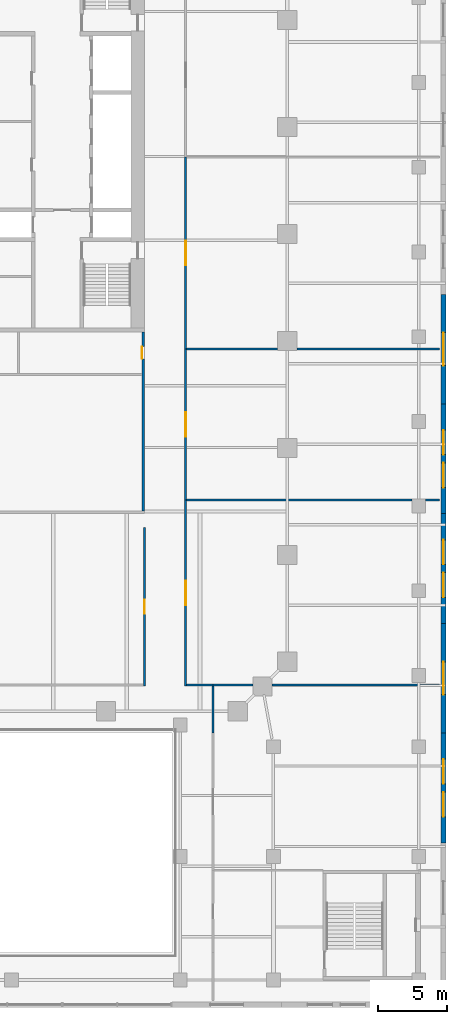
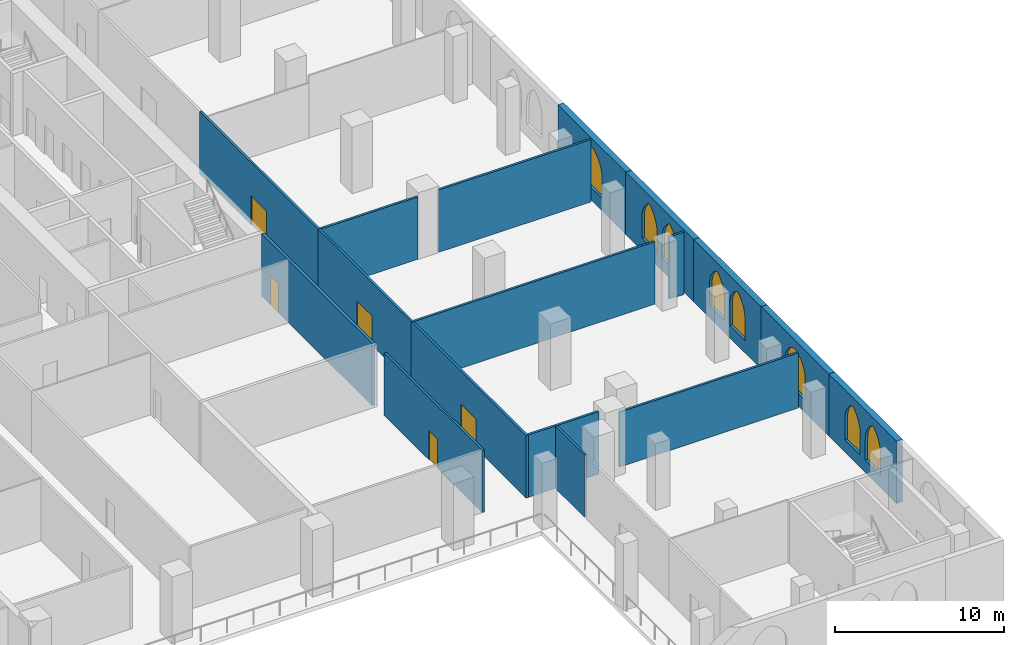
# One storey, part 13 of 19: 18 walls, 8 windows, 5 doors, 13 openings.
"""IFC4 building model written with IfcOpenShell, lengths in metres."""

import ifcopenshell
import ifcopenshell.guid

model = None  # the IFC model being written
_history = None  # IfcOwnerHistory: only IFC2X3 demands one
_inside = {}  # id of a spatial element -> (the spatial element, [elements in it])
_under = {}  # id of a project, library or spatial element -> (it, [spatial elements below it])
_declared = {}  # id of a project -> (the project, [libraries it declares])
_typed = {}  # id of a type object -> (the type object, [elements of that type])
_made_of = {}  # id of a material, layer set ... -> (it, [elements and type objects made of it])


def new_model(schema):
    """Start an empty IFC model of exactly this schema.

    Asked for "IFC4X3", IfcOpenShell would pick the latest addendum, in which some entities
    have other attributes; the version numbers below select the first issue.
    IFC2X3 requires an IfcOwnerHistory on every rooted entity: one is made here for all.
    """
    global model, _history
    if schema == "IFC4X3":
        model = ifcopenshell.file(schema_version=(4, 3, 0, 0))
    else:
        model = ifcopenshell.file(schema=schema)
    _inside.clear()
    _under.clear()
    _declared.clear()
    _typed.clear()
    _made_of.clear()
    _history = None
    if model.schema == "IFC2X3":
        org = make("IfcOrganization", Name="unknown")
        user = make(
            "IfcPersonAndOrganization",
            ThePerson=make("IfcPerson", FamilyName="unknown"),
            TheOrganization=org,
        )
        app = make(
            "IfcApplication",
            ApplicationDeveloper=org,
            Version="unknown",
            ApplicationFullName="unknown",
            ApplicationIdentifier="unknown",
        )
        _history = make(
            "IfcOwnerHistory",
            OwningUser=user,
            OwningApplication=app,
            ChangeAction="ADDED",
            CreationDate=0,
        )
    return model


def make(cls, **values):
    """One entity of the class cls with the attributes given. An attribute that is None is left unset."""
    return model.create_entity(
        cls, **{name: value for name, value in values.items() if value is not None}
    )


def rooted(cls, **values):
    """An entity with a GlobalId (a new one), such as an element, a storey or a relation."""
    return make(cls, GlobalId=ifcopenshell.guid.new(), OwnerHistory=_history, **values)


def si_unit(unit_type, name, prefix=None):
    """IfcSIUnit, for example si_unit("LENGTHUNIT", "METRE", prefix="MILLI")."""
    return make("IfcSIUnit", UnitType=unit_type, Prefix=prefix, Name=name)


def assignment(units):
    """IfcUnitAssignment: the units of a project."""
    return None if units is None else make("IfcUnitAssignment", Units=units)


def point(xyz):
    """IfcCartesianPoint."""
    return None if xyz is None else make("IfcCartesianPoint", Coordinates=xyz)


def direction(xyz):
    """IfcDirection."""
    return None if xyz is None else make("IfcDirection", DirectionRatios=xyz)


def frame(location, z_axis=None, x_axis=None):
    """IfcAxis2Placement3D, a coordinate frame: its origin and axes. An axis left out is left unset."""
    return make(
        "IfcAxis2Placement3D",
        Location=point(location),
        Axis=direction(z_axis),
        RefDirection=direction(x_axis),
    )


def frame_2d(location, x_axis=None):
    """IfcAxis2Placement2D, a coordinate frame in the plane: its origin and x axis."""
    return make(
        "IfcAxis2Placement2D", Location=point(location), RefDirection=direction(x_axis)
    )


def origin():
    """The frame at (0, 0, 0) with its axes left unset."""
    return frame((0.0, 0.0, 0.0))


def place(relative_to, where):
    """IfcLocalPlacement: puts the frame where relative to a parent placement (None: the world)."""
    return make(
        "IfcLocalPlacement", PlacementRelTo=relative_to, RelativePlacement=where
    )


def context(
    kind, dimensions, precision=None, world=None, true_north=None, identifier=None
):
    """IfcGeometricRepresentationContext, for example the 3D "Model" context."""
    return make(
        "IfcGeometricRepresentationContext",
        ContextIdentifier=identifier,
        ContextType=kind,
        CoordinateSpaceDimension=dimensions,
        Precision=precision,
        WorldCoordinateSystem=world,
        TrueNorth=true_north,
    )


def subcontext(parent, identifier, kind, view, scale=None):
    """IfcGeometricRepresentationSubContext, for example "Body" below "Model"."""
    return make(
        "IfcGeometricRepresentationSubContext",
        ContextIdentifier=identifier,
        ContextType=kind,
        ParentContext=parent,
        TargetScale=scale,
        TargetView=view,
    )


def project(units=None, contexts=None):
    """IfcProject with its units and contexts."""
    return rooted(
        "IfcProject",
        Name="project",
        RepresentationContexts=contexts,
        UnitsInContext=assignment(units),
    )


def spatial(cls, under=None, at=None, **own):
    """A site, building, storey or space (cls), placed at a placement, below another one or the project."""
    s = rooted(cls, ObjectPlacement=at, **own)
    if under is not None:
        _under.setdefault(under.id(), (under, []))[1].append(s)
    return s


def polyline(points):
    """IfcPolyline through the points."""
    return make("IfcPolyline", Points=[point(p) for p in points])


def profile(cls, at=None, kind="AREA", **sizes):
    """A parametric profile (cls). Its sizes go by their IFC names, for example OverallWidth=200.0."""
    return make(cls, ProfileType=kind, Position=at, **sizes)


def rectangle(**sizes):
    """IfcRectangleProfileDef."""
    return profile("IfcRectangleProfileDef", **sizes)


def outline(outer, holes=None, kind="AREA"):
    """IfcArbitraryClosedProfileDef: a profile drawn as a closed curve; with holes, ...WithVoids."""
    if holes is None:
        return make("IfcArbitraryClosedProfileDef", ProfileType=kind, OuterCurve=outer)
    return make(
        "IfcArbitraryProfileDefWithVoids",
        ProfileType=kind,
        OuterCurve=outer,
        InnerCurves=holes,
    )


def extrude(swept, where, along, depth):
    """IfcExtrudedAreaSolid: the profile swept, set in the frame where, extruded along a direction by depth."""
    return make(
        "IfcExtrudedAreaSolid",
        SweptArea=swept,
        Position=where,
        ExtrudedDirection=direction(along),
        Depth=depth,
    )


def shape(context_of_items, identifier, shape_type, items):
    """IfcShapeRepresentation: the items that make up one representation, for example the "Body"."""
    return make(
        "IfcShapeRepresentation",
        ContextOfItems=context_of_items,
        RepresentationIdentifier=identifier,
        RepresentationType=shape_type,
        Items=items,
    )


def material(Name=None, Category=None):
    """IfcMaterial."""
    return make("IfcMaterial", Name=Name, Category=Category)


def layer(
    of_material, thickness, ventilated=None, Name=None, Category=None, Priority=None
):
    """IfcMaterialLayer: one layer of a wall or slab, of a material (None: an air gap)."""
    return make(
        "IfcMaterialLayer",
        Material=of_material,
        LayerThickness=thickness,
        IsVentilated=ventilated,
        Name=Name,
        Category=Category,
        Priority=Priority,
    )


def layer_set(layers, Name=None):
    """IfcMaterialLayerSet."""
    return make("IfcMaterialLayerSet", MaterialLayers=layers, LayerSetName=Name)


def made_of(thing, what):
    """Note that an element or type object is made of a material, layer set ...; save() writes the relation."""
    if what is not None:
        _made_of.setdefault(what.id(), (what, []))[1].append(thing)
    return thing


def type_object(cls, material=None, **own):
    """A type object (cls), such as IfcWallType, which elements share."""
    return made_of(rooted(cls, **own), material)


def element(
    cls,
    number,
    at=None,
    inside=None,
    cuts=None,
    type_object=None,
    material=None,
    context=None,
    identifier="Body",
    shape_type=None,
    held_by="IfcProductDefinitionShape",
    body=None,
    shapes=None,
    **own,
):
    """One element of the class cls, such as IfcWall. Its Tag is "e" and its number.

    at: its placement. inside: the storey or other place that contains it. cuts: it is an
    opening in that element (IfcRelVoidsElement). A single representation is given by context,
    identifier, shape_type and body (its items); several are given by shapes. held_by: the class
    of the entity that holds the representations. save() writes the other relations.
    """
    e = rooted(cls, Tag="e%d" % number, ObjectPlacement=at, **own)
    if body is not None:
        shapes = [shape(context, identifier, shape_type, body)]
    if shapes is not None:
        e.Representation = make(held_by, Representations=shapes)
    if inside is not None:
        _inside.setdefault(inside.id(), (inside, []))[1].append(e)
    if cuts is not None:
        rooted(
            "IfcRelVoidsElement", RelatingBuildingElement=cuts, RelatedOpeningElement=e
        )
    if type_object is not None:
        _typed.setdefault(type_object.id(), (type_object, []))[1].append(e)
    return made_of(e, material)


def fill(opening, filler):
    """IfcRelFillsElement: the door or window that sits in an opening."""
    return rooted(
        "IfcRelFillsElement",
        RelatingOpeningElement=opening,
        RelatedBuildingElement=filler,
    )


def aggregate(whole, parts):
    """IfcRelAggregates: a whole, such as a stair, and the parts it consists of."""
    return rooted("IfcRelAggregates", RelatingObject=whole, RelatedObjects=parts)


def save(model, path):
    """Write the relations noted so far, then the file.

    IfcRelAggregates (storeys below a building ...), IfcRelContainedInSpatialStructure (elements
    in a storey), IfcRelDefinesByType, IfcRelAssociatesMaterial and IfcRelDeclares: one each for
    every whole, place, type object, material and project.
    """
    for whole, parts in _under.values():
        aggregate(whole, parts)
    for where, things in _inside.values():
        rooted(
            "IfcRelContainedInSpatialStructure",
            RelatedElements=things,
            RelatingStructure=where,
        )
    for kind, things in _typed.values():
        rooted("IfcRelDefinesByType", RelatedObjects=things, RelatingType=kind)
    for what, things in _made_of.values():
        rooted("IfcRelAssociatesMaterial", RelatedObjects=things, RelatingMaterial=what)
    for by, libraries in _declared.values():
        rooted("IfcRelDeclares", RelatingContext=by, RelatedDefinitions=libraries)
    model.write(path)


model = new_model("IFC4")

# Units and contexts
model_context = context("Model", 3, precision=1e-05, world=origin(), true_north=direction((0.0, 1.0)))
body_context = subcontext(model_context, "Body", "Model", "MODEL_VIEW")
ifc_project = project(units=[si_unit("LENGTHUNIT", "METRE"), si_unit("AREAUNIT", "SQUARE_METRE"), si_unit("VOLUMEUNIT", "CUBIC_METRE"), si_unit("PLANEANGLEUNIT", "RADIAN"), si_unit("MASSUNIT", "GRAM", prefix="KILO")], contexts=[model_context])

# Site, building, storey
site_placement = place(None, origin())
site = spatial("IfcSite", under=ifc_project, at=site_placement, CompositionType="ELEMENT")
building_placement = place(site_placement, origin())
building = spatial("IfcBuilding", under=site, at=building_placement, Name="Ogive Exchange Tower", CompositionType="ELEMENT")
storey_placement = place(building_placement, frame((0.0, 0.0, 19.199951171875)))
storey = spatial("IfcBuildingStorey", under=building, at=storey_placement, Name="L03", CompositionType="ELEMENT", Elevation=19.199951171875)

# Walls
ifc_material_1 = material(Name="Fire partition EI 60 150")
ifc_layer_1 = layer(ifc_material_1, 0.14990234375)
ifc_layer_set_1 = layer_set([ifc_layer_1], Name="Fire partition EI 60 150")
wall_type_1 = type_object("IfcWallType", Name="Fire partition EI 60 150", PredefinedType="PARTITIONING", material=ifc_layer_set_1)
wall_1_placement = place(storey_placement, frame((25.074951171875, -28.5, 0.0), z_axis=(0.0, 0.0, 1.0), x_axis=(1.0, 0.0, 0.0)))
element("IfcWall", 1, at=wall_1_placement, inside=storey, type_object=wall_type_1, Name="L03-PWL-012", PredefinedType="PARTITIONING", context=body_context, shape_type="SweptSolid", body=[
    extrude(rectangle(XDim=1.925048828125, YDim=0.14990234375, at=frame_2d((0.96240234375, 0.0))), origin(), (0.0, 0.0, 1.0), 4.5),
])
wall_2_placement = place(storey_placement, frame((27.0, -28.5, 0.0), z_axis=(0.0, 0.0, 1.0), x_axis=(1.0, 0.0, 0.0)))
element("IfcWall", 2, at=wall_2_placement, inside=storey, type_object=wall_type_1, Name="L03-PWL-013", PredefinedType="PARTITIONING", context=body_context, shape_type="SweptSolid", body=[
    extrude(rectangle(XDim=2.89990234375, YDim=0.14990234375, at=frame_2d((1.449951171875, 0.0))), origin(), (0.0, 0.0, 1.0), 4.5),
])
wall_3_placement = place(storey_placement, frame((31.300048828125, -28.5, 0.0), z_axis=(0.0, 0.0, 1.0), x_axis=(1.0, 0.0, 0.0)))
element("IfcWall", 3, at=wall_3_placement, inside=storey, type_object=wall_type_1, Name="L03-PWL-014", PredefinedType="PARTITIONING", context=body_context, shape_type="SweptSolid", body=[
    extrude(rectangle(XDim=12.199951171875, YDim=0.14990234375, at=frame_2d((6.10009765625, 0.0))), origin(), (0.0, 0.0, 1.0), 3.964111328125),
])
wall_4_placement = place(storey_placement, frame((25.074951171875, -15.0, 0.0), z_axis=(0.0, 0.0, 1.0), x_axis=(1.0, 0.0, 0.0)))
element("IfcWall", 4, at=wall_4_placement, inside=storey, type_object=wall_type_1, Name="L03-PWL-017", PredefinedType="PARTITIONING", context=body_context, shape_type="SweptSolid", body=[
    extrude(rectangle(XDim=16.425048828125, YDim=0.14990234375, at=frame_2d((8.21240234375, 0.0))), origin(), (0.0, 0.0, 1.0), 4.5),
])
wall_5_placement = place(storey_placement, frame((42.5, -15.0, 0.0), z_axis=(0.0, 0.0, 1.0), x_axis=(1.0, 0.0, 0.0)))
element("IfcWall", 5, at=wall_5_placement, inside=storey, type_object=wall_type_1, Name="L03-PWL-018", PredefinedType="PARTITIONING", context=body_context, shape_type="SweptSolid", body=[
    extrude(rectangle(XDim=1.0, YDim=0.14990234375, at=frame_2d((0.5, 0.0))), origin(), (0.0, 0.0, 1.0), 4.5),
])
wall_6_placement = place(storey_placement, frame((25.074951171875, -4.0, 0.0), z_axis=(0.0, 0.0, 1.0), x_axis=(1.0, 0.0, 0.0)))
element("IfcWall", 6, at=wall_6_placement, inside=storey, type_object=wall_type_1, Name="L03-PWL-023", PredefinedType="PARTITIONING", context=body_context, shape_type="SweptSolid", body=[
    extrude(rectangle(XDim=6.625, YDim=0.14990234375, at=frame_2d((3.3125, 0.0))), origin(), (0.0, 0.0, 1.0), 4.5),
])
wall_7_placement = place(storey_placement, frame((33.10009765625, -4.0, 0.0), z_axis=(0.0, 0.0, 1.0), x_axis=(1.0, 0.0, 0.0)))
element("IfcWall", 7, at=wall_7_placement, inside=storey, type_object=wall_type_1, Name="L03-PWL-024", PredefinedType="PARTITIONING", context=body_context, shape_type="SweptSolid", body=[
    extrude(rectangle(XDim=10.39990234375, YDim=0.14990234375, at=frame_2d((5.199951171875, 0.0))), origin(), (0.0, 0.0, 1.0), 4.5),
])

# Wall, opening, door
wall_8_placement = place(storey_placement, frame((22.0, -28.574951171875, 0.0), z_axis=(0.0, 0.0, 1.0), x_axis=(0.0, 1.0, 0.0)))
wall_8 = element("IfcWall", 8, at=wall_8_placement, inside=storey, type_object=wall_type_1, Name="L03-PWL-057", PredefinedType="PARTITIONING", context=body_context, shape_type="SweptSolid", body=[
    extrude(rectangle(XDim=11.574951171875, YDim=0.14990234375, at=frame_2d((5.78759765625, 0.0))), origin(), (0.0, 0.0, 1.0), 4.5),
])
opening_1_placement = place(wall_8_placement, frame((5.28759765625, 0.0, 0.0)))
opening_1 = element("IfcOpeningElement", 9, at=opening_1_placement, cuts=wall_8, Name="Opening L03-I19", PredefinedType="OPENING", context=body_context, shape_type="SweptSolid", body=[
    extrude(rectangle(XDim=1.0, YDim=2.10009765625, at=frame_2d((0.5, 1.050048828125))), frame((0.0, 0.0849609375, 0.0), z_axis=(0.0, -1.0, 0.0), x_axis=(1.0, 0.0, 0.0)), (0.0, 0.0, 1.0), 0.169921875),
])
ifc_material_2 = material(Name="Fire door FD 30S 1000 x 2100")
door_type_1 = type_object("IfcDoorType", Name="Fire door FD 30S 1000 x 2100", OperationType="NOTDEFINED", PredefinedType="DOOR", material=ifc_material_2)
door_1_placement = place(opening_1_placement, origin())
door_1 = element("IfcDoor", 10, at=door_1_placement, inside=storey, type_object=door_type_1, Name="L03-IDR-019", ObjectType="DT3", OperationType="SINGLE_SWING_RIGHT", OverallHeight=2.10009765625, OverallWidth=1.0, PredefinedType="DOOR", context=body_context, shape_type="SweptSolid", body=[
    extrude(rectangle(XDim=1.0, YDim=2.10009765625, at=frame_2d((0.5, 1.050048828125))), frame((0.0, 0.02490234375, 0.0), z_axis=(0.0, -1.0, 0.0), x_axis=(1.0, 0.0, 0.0)), (0.0, 0.0, 1.0), 0.050048828125),
])
fill(opening_1, door_1)

wall_9_placement = place(storey_placement, frame((25.0, -28.574951171875, 0.0), z_axis=(0.0, 0.0, 1.0), x_axis=(0.0, 1.0, 0.0)))
wall_9 = element("IfcWall", 11, at=wall_9_placement, inside=storey, type_object=wall_type_1, Name="L03-PWL-058", PredefinedType="PARTITIONING", context=body_context, shape_type="SweptSolid", body=[
    extrude(rectangle(XDim=13.574951171875, YDim=0.14990234375, at=frame_2d((6.78759765625, 0.0))), origin(), (0.0, 0.0, 1.0), 4.5),
])
opening_2_placement = place(wall_9_placement, frame((5.887451171875, 0.0, 0.0)))
opening_2 = element("IfcOpeningElement", 12, at=opening_2_placement, cuts=wall_9, Name="Opening L03-I09", PredefinedType="OPENING", context=body_context, shape_type="SweptSolid", body=[
    extrude(rectangle(XDim=1.800048828125, YDim=2.10009765625, at=frame_2d((0.89990234375, 1.050048828125))), frame((0.0, 0.0849609375, 0.0), z_axis=(0.0, -1.0, 0.0), x_axis=(1.0, 0.0, 0.0)), (0.0, 0.0, 1.0), 0.169921875),
])
ifc_material_3 = material(Name="Fire door FD 30S 1800 x 2100")
door_type_2 = type_object("IfcDoorType", Name="Fire door FD 30S 1800 x 2100", OperationType="DOUBLE_DOOR_SINGLE_SWING", PredefinedType="DOOR", material=ifc_material_3)
door_2_placement = place(opening_2_placement, frame((1.800048828125, 0.0, 0.0), z_axis=(0.0, 0.0, 1.0), x_axis=(-1.0, 0.0, 0.0)))
door_2 = element("IfcDoor", 13, at=door_2_placement, inside=storey, type_object=door_type_2, Name="L03-IDR-009", ObjectType="DT4", OperationType="SINGLE_SWING_RIGHT", OverallHeight=2.10009765625, OverallWidth=1.800048828125, PredefinedType="DOOR", context=body_context, shape_type="SweptSolid", body=[
    extrude(rectangle(XDim=1.800048828125, YDim=2.10009765625, at=frame_2d((0.89990234375, 1.050048828125))), frame((0.0, 0.02490234375, 0.0), z_axis=(0.0, -1.0, 0.0), x_axis=(1.0, 0.0, 0.0)), (0.0, 0.0, 1.0), 0.050048828125),
])
fill(opening_2, door_2)

wall_10_placement = place(storey_placement, frame((25.0, -15.0, 0.0), z_axis=(0.0, 0.0, 1.0), x_axis=(0.0, 1.0, 0.0)))
wall_10 = element("IfcWall", 14, at=wall_10_placement, inside=storey, type_object=wall_type_1, Name="L03-PWL-059", PredefinedType="PARTITIONING", context=body_context, shape_type="SweptSolid", body=[
    extrude(rectangle(XDim=11.0, YDim=0.14990234375, at=frame_2d((5.5, 0.0))), origin(), (0.0, 0.0, 1.0), 4.5),
])
opening_3_placement = place(wall_10_placement, frame((4.60009765625, 0.0, 0.0)))
opening_3 = element("IfcOpeningElement", 15, at=opening_3_placement, cuts=wall_10, Name="Opening L03-I10", PredefinedType="OPENING", context=body_context, shape_type="SweptSolid", body=[
    extrude(rectangle(XDim=1.800048828125, YDim=2.10009765625, at=frame_2d((0.89990234375, 1.050048828125))), frame((0.0, 0.0849609375, 0.0), z_axis=(0.0, -1.0, 0.0), x_axis=(1.0, 0.0, 0.0)), (0.0, 0.0, 1.0), 0.169921875),
])
door_3_placement = place(opening_3_placement, frame((1.800048828125, 0.0, 0.0), z_axis=(0.0, 0.0, 1.0), x_axis=(-1.0, 0.0, 0.0)))
door_3 = element("IfcDoor", 16, at=door_3_placement, inside=storey, type_object=door_type_2, Name="L03-IDR-010", ObjectType="DT4", OperationType="SINGLE_SWING_LEFT", OverallHeight=2.10009765625, OverallWidth=1.800048828125, PredefinedType="DOOR", context=body_context, shape_type="SweptSolid", body=[
    extrude(rectangle(XDim=1.800048828125, YDim=2.10009765625, at=frame_2d((0.89990234375, 1.050048828125))), frame((0.0, 0.02490234375, 0.0), z_axis=(0.0, -1.0, 0.0), x_axis=(1.0, 0.0, 0.0)), (0.0, 0.0, 1.0), 0.050048828125),
])
fill(opening_3, door_3)

wall_11_placement = place(storey_placement, frame((25.0, -4.0, 0.0), z_axis=(0.0, 0.0, 1.0), x_axis=(0.0, 1.0, 0.0)))
wall_11 = element("IfcWall", 17, at=wall_11_placement, inside=storey, type_object=wall_type_1, Name="L03-PWL-060", PredefinedType="PARTITIONING", context=body_context, shape_type="SweptSolid", body=[
    extrude(rectangle(XDim=14.0, YDim=0.14990234375, at=frame_2d((7.0, 0.0))), origin(), (0.0, 0.0, 1.0), 4.5),
])
opening_4_placement = place(wall_11_placement, frame((6.10009765625, 0.0, 0.0)))
opening_4 = element("IfcOpeningElement", 18, at=opening_4_placement, cuts=wall_11, Name="Opening L03-I11", PredefinedType="OPENING", context=body_context, shape_type="SweptSolid", body=[
    extrude(rectangle(XDim=1.800048828125, YDim=2.10009765625, at=frame_2d((0.89990234375, 1.050048828125))), frame((0.0, 0.0849609375, 0.0), z_axis=(0.0, -1.0, 0.0), x_axis=(1.0, 0.0, 0.0)), (0.0, 0.0, 1.0), 0.169921875),
])
door_4_placement = place(opening_4_placement, frame((1.800048828125, 0.0, 0.0), z_axis=(0.0, 0.0, 1.0), x_axis=(-1.0, 0.0, 0.0)))
door_4 = element("IfcDoor", 19, at=door_4_placement, inside=storey, type_object=door_type_2, Name="L03-IDR-011", ObjectType="DT4", OperationType="SINGLE_SWING_LEFT", OverallHeight=2.10009765625, OverallWidth=1.800048828125, PredefinedType="DOOR", context=body_context, shape_type="SweptSolid", body=[
    extrude(rectangle(XDim=1.800048828125, YDim=2.10009765625, at=frame_2d((0.89990234375, 1.050048828125))), frame((0.0, 0.02490234375, 0.0), z_axis=(0.0, -1.0, 0.0), x_axis=(1.0, 0.0, 0.0)), (0.0, 0.0, 1.0), 0.050048828125),
])
fill(opening_4, door_4)

# Wall
wall_12_placement = place(storey_placement, frame((27.0, -32.0, 0.0), z_axis=(0.0, 0.0, 1.0), x_axis=(0.0, 1.0, 0.0)))
element("IfcWall", 20, at=wall_12_placement, inside=storey, type_object=wall_type_1, Name="L03-PWL-067", PredefinedType="PARTITIONING", context=body_context, shape_type="SweptSolid", body=[
    extrude(rectangle(XDim=3.425048828125, YDim=0.14990234375, at=frame_2d((1.71240234375, 0.0))), origin(), (0.0, 0.0, 1.0), 4.5),
])

# Wall, openings, windows
ifc_material_4 = material(Name="Precast concrete C40/50", Category="concrete")
ifc_layer_2 = layer(ifc_material_4, 0.39990234375)
ifc_layer_set_2 = layer_set([ifc_layer_2], Name="Limestone-faced wall 400")
wall_type_2 = type_object("IfcWallType", Name="Limestone-faced wall 400", PredefinedType="STANDARD", material=ifc_layer_set_2)
wall_13_placement = place(storey_placement, frame((43.800048828125, -40.0, 0.0), z_axis=(0.0, 0.0, 1.0), x_axis=(0.0, 1.0, 0.0)))
wall_13 = element("IfcWall", 21, at=wall_13_placement, inside=storey, type_object=wall_type_2, Name="Podium wall E3", PredefinedType="STANDARD", context=body_context, shape_type="SweptSolid", body=[
    extrude(rectangle(XDim=8.0, YDim=0.39990234375, at=frame_2d((4.0, 0.0))), origin(), (0.0, 0.0, 1.0), 4.5),
])
opening_5_placement = place(wall_13_placement, frame((1.89990234375, 0.0, 0.89990234375)))
opening_5 = element("IfcOpeningElement", 22, at=opening_5_placement, cuts=wall_13, Name="Opening WQ300", PredefinedType="OPENING", context=body_context, shape_type="SweptSolid", body=[
    extrude(outline(polyline([(0.0, 0.0), (1.800048828125, 0.0), (1.800048828125, 1.5), (1.78466796875, 1.72900390625), (1.73828125, 1.953857421875), (1.662353515625, 2.17041015625), (1.557861328125, 2.374755859375), (1.4267578125, 2.56298828125), (1.271484375, 2.73193359375), (1.0947265625, 2.878662109375), (0.89990234375, 3.0), (0.705322265625, 2.878662109375), (0.528564453125, 2.73193359375), (0.373291015625, 2.56298828125), (0.2421875, 2.374755859375), (0.1376953125, 2.17041015625), (0.061767578125, 1.953857421875), (0.015380859375, 1.72900390625), (0.0, 1.5), (0.0, 0.0)])), frame((0.0, 0.2099609375, 0.0), z_axis=(0.0, -1.0, 0.0), x_axis=(1.0, 0.0, 0.0)), (0.0, 0.0, 1.0), 0.419921875),
])
opening_6_placement = place(wall_13_placement, frame((4.300048828125, 0.0, 0.89990234375)))
opening_6 = element("IfcOpeningElement", 23, at=opening_6_placement, cuts=wall_13, Name="Opening WQ300", PredefinedType="OPENING", context=body_context, shape_type="SweptSolid", body=[
    extrude(outline(polyline([(0.0, 0.0), (1.800048828125, 0.0), (1.800048828125, 1.5), (1.78466796875, 1.72900390625), (1.73828125, 1.953857421875), (1.662353515625, 2.17041015625), (1.557861328125, 2.374755859375), (1.4267578125, 2.56298828125), (1.271484375, 2.73193359375), (1.0947265625, 2.878662109375), (0.89990234375, 3.0), (0.705322265625, 2.878662109375), (0.528564453125, 2.73193359375), (0.373291015625, 2.56298828125), (0.2421875, 2.374755859375), (0.1376953125, 2.17041015625), (0.061767578125, 1.953857421875), (0.015380859375, 1.72900390625), (0.0, 1.5), (0.0, 0.0)])), frame((0.0, 0.2099609375, 0.0), z_axis=(0.0, -1.0, 0.0), x_axis=(1.0, 0.0, 0.0)), (0.0, 0.0, 1.0), 0.419921875),
])
ifc_material_5 = material(Name="Clear glass in bronze frame", Category="glass")
window_type_1 = type_object("IfcWindowType", Name="Podium paired lancet 1800 x 3000", PartitioningType="DOUBLE_PANEL_VERTICAL", PredefinedType="WINDOW", material=ifc_material_5)
window_1_placement = place(opening_5_placement, origin())
window_1 = element("IfcWindow", 24, at=window_1_placement, inside=storey, type_object=window_type_1, Name="Podium paired lancet E3.1", OverallHeight=3.0, OverallWidth=1.800048828125, PartitioningType="DOUBLE_PANEL_VERTICAL", PredefinedType="WINDOW", context=body_context, shape_type="SweptSolid", body=[
    extrude(outline(polyline([(0.0, 0.0), (1.800048828125, 0.0), (1.800048828125, 1.5), (1.78466796875, 1.72900390625), (1.73828125, 1.953857421875), (1.662353515625, 2.17041015625), (1.557861328125, 2.374755859375), (1.4267578125, 2.56298828125), (1.271484375, 2.73193359375), (1.0947265625, 2.878662109375), (0.89990234375, 3.0), (0.705322265625, 2.878662109375), (0.528564453125, 2.73193359375), (0.373291015625, 2.56298828125), (0.2421875, 2.374755859375), (0.1376953125, 2.17041015625), (0.061767578125, 1.953857421875), (0.015380859375, 1.72900390625), (0.0, 1.5), (0.0, 0.0)])), frame((0.0, 0.030029296875, 0.0), z_axis=(0.0, -1.0, 0.0), x_axis=(1.0, 0.0, 0.0)), (0.0, 0.0, 1.0), 0.06005859375),
])
fill(opening_5, window_1)
window_2_placement = place(opening_6_placement, origin())
window_2 = element("IfcWindow", 25, at=window_2_placement, inside=storey, type_object=window_type_1, Name="Podium paired lancet E3.2", OverallHeight=3.0, OverallWidth=1.800048828125, PartitioningType="DOUBLE_PANEL_VERTICAL", PredefinedType="WINDOW", context=body_context, shape_type="SweptSolid", body=[
    extrude(outline(polyline([(0.0, 0.0), (1.800048828125, 0.0), (1.800048828125, 1.5), (1.78466796875, 1.72900390625), (1.73828125, 1.953857421875), (1.662353515625, 2.17041015625), (1.557861328125, 2.374755859375), (1.4267578125, 2.56298828125), (1.271484375, 2.73193359375), (1.0947265625, 2.878662109375), (0.89990234375, 3.0), (0.705322265625, 2.878662109375), (0.528564453125, 2.73193359375), (0.373291015625, 2.56298828125), (0.2421875, 2.374755859375), (0.1376953125, 2.17041015625), (0.061767578125, 1.953857421875), (0.015380859375, 1.72900390625), (0.0, 1.5), (0.0, 0.0)])), frame((0.0, 0.030029296875, 0.0), z_axis=(0.0, -1.0, 0.0), x_axis=(1.0, 0.0, 0.0)), (0.0, 0.0, 1.0), 0.06005859375),
])
fill(opening_6, window_2)

# Wall, opening, window
wall_14_placement = place(storey_placement, frame((43.800048828125, -32.0, 0.0), z_axis=(0.0, 0.0, 1.0), x_axis=(0.0, 1.0, 0.0)))
wall_14 = element("IfcWall", 26, at=wall_14_placement, inside=storey, type_object=wall_type_2, Name="Podium wall E4", PredefinedType="STANDARD", context=body_context, shape_type="SweptSolid", body=[
    extrude(rectangle(XDim=8.0, YDim=0.39990234375, at=frame_2d((4.0, 0.0))), origin(), (0.0, 0.0, 1.0), 4.5),
])
opening_7_placement = place(wall_14_placement, frame((2.800048828125, 0.0, 0.89990234375)))
opening_7 = element("IfcOpeningElement", 27, at=opening_7_placement, cuts=wall_14, Name="Opening WP300", PredefinedType="OPENING", context=body_context, shape_type="SweptSolid", body=[
    extrude(outline(polyline([(0.0, 0.0), (2.39990234375, 0.0), (2.39990234375, 1.5), (2.378173828125, 1.758056640625), (2.313232421875, 2.009033203125), (2.207275390625, 2.245361328125), (2.06298828125, 2.46044921875), (1.884765625, 2.6484375), (1.677490234375, 2.8037109375), (1.447021484375, 2.922119140625), (1.199951171875, 3.0), (0.952880859375, 2.922119140625), (0.722412109375, 2.8037109375), (0.51513671875, 2.6484375), (0.3369140625, 2.46044921875), (0.192626953125, 2.245361328125), (0.086669921875, 2.009033203125), (0.021728515625, 1.758056640625), (0.0, 1.5), (0.0, 0.0)])), frame((0.0, 0.2099609375, 0.0), z_axis=(0.0, -1.0, 0.0), x_axis=(1.0, 0.0, 0.0)), (0.0, 0.0, 1.0), 0.419921875),
])
window_type_2 = type_object("IfcWindowType", Name="Podium lancet window 2400 x 3000", PartitioningType="DOUBLE_PANEL_VERTICAL", PredefinedType="WINDOW", material=ifc_material_5)
window_3_placement = place(opening_7_placement, origin())
window_3 = element("IfcWindow", 28, at=window_3_placement, inside=storey, type_object=window_type_2, Name="Podium window E4", OverallHeight=3.0, OverallWidth=2.39990234375, PartitioningType="DOUBLE_PANEL_VERTICAL", PredefinedType="WINDOW", context=body_context, shape_type="SweptSolid", body=[
    extrude(outline(polyline([(0.0, 0.0), (2.39990234375, 0.0), (2.39990234375, 1.5), (2.378173828125, 1.758056640625), (2.313232421875, 2.009033203125), (2.207275390625, 2.245361328125), (2.06298828125, 2.46044921875), (1.884765625, 2.6484375), (1.677490234375, 2.8037109375), (1.447021484375, 2.922119140625), (1.199951171875, 3.0), (0.952880859375, 2.922119140625), (0.722412109375, 2.8037109375), (0.51513671875, 2.6484375), (0.3369140625, 2.46044921875), (0.192626953125, 2.245361328125), (0.086669921875, 2.009033203125), (0.021728515625, 1.758056640625), (0.0, 1.5), (0.0, 0.0)])), frame((0.0, 0.030029296875, 0.0), z_axis=(0.0, -1.0, 0.0), x_axis=(1.0, 0.0, 0.0)), (0.0, 0.0, 1.0), 0.06005859375),
])
fill(opening_7, window_3)

# Wall, openings, windows
wall_15_placement = place(storey_placement, frame((43.800048828125, -24.0, 0.0), z_axis=(0.0, 0.0, 1.0), x_axis=(0.0, 1.0, 0.0)))
wall_15 = element("IfcWall", 29, at=wall_15_placement, inside=storey, type_object=wall_type_2, Name="Podium wall E5", PredefinedType="STANDARD", context=body_context, shape_type="SweptSolid", body=[
    extrude(rectangle(XDim=8.0, YDim=0.39990234375, at=frame_2d((4.0, 0.0))), origin(), (0.0, 0.0, 1.0), 4.5),
])
opening_8_placement = place(wall_15_placement, frame((1.89990234375, 0.0, 0.89990234375)))
opening_8 = element("IfcOpeningElement", 30, at=opening_8_placement, cuts=wall_15, Name="Opening WQ300", PredefinedType="OPENING", context=body_context, shape_type="SweptSolid", body=[
    extrude(outline(polyline([(0.0, 0.0), (1.800048828125, 0.0), (1.800048828125, 1.5), (1.78466796875, 1.72900390625), (1.73828125, 1.953857421875), (1.662353515625, 2.17041015625), (1.557861328125, 2.374755859375), (1.4267578125, 2.56298828125), (1.271484375, 2.73193359375), (1.0947265625, 2.878662109375), (0.89990234375, 3.0), (0.705322265625, 2.878662109375), (0.528564453125, 2.73193359375), (0.373291015625, 2.56298828125), (0.2421875, 2.374755859375), (0.1376953125, 2.17041015625), (0.061767578125, 1.953857421875), (0.015380859375, 1.72900390625), (0.0, 1.5), (0.0, 0.0)])), frame((0.0, 0.2099609375, 0.0), z_axis=(0.0, -1.0, 0.0), x_axis=(1.0, 0.0, 0.0)), (0.0, 0.0, 1.0), 0.419921875),
])
opening_9_placement = place(wall_15_placement, frame((4.300048828125, 0.0, 0.89990234375)))
opening_9 = element("IfcOpeningElement", 31, at=opening_9_placement, cuts=wall_15, Name="Opening WQ300", PredefinedType="OPENING", context=body_context, shape_type="SweptSolid", body=[
    extrude(outline(polyline([(0.0, 0.0), (1.800048828125, 0.0), (1.800048828125, 1.5), (1.78466796875, 1.72900390625), (1.73828125, 1.953857421875), (1.662353515625, 2.17041015625), (1.557861328125, 2.374755859375), (1.4267578125, 2.56298828125), (1.271484375, 2.73193359375), (1.0947265625, 2.878662109375), (0.89990234375, 3.0), (0.705322265625, 2.878662109375), (0.528564453125, 2.73193359375), (0.373291015625, 2.56298828125), (0.2421875, 2.374755859375), (0.1376953125, 2.17041015625), (0.061767578125, 1.953857421875), (0.015380859375, 1.72900390625), (0.0, 1.5), (0.0, 0.0)])), frame((0.0, 0.2099609375, 0.0), z_axis=(0.0, -1.0, 0.0), x_axis=(1.0, 0.0, 0.0)), (0.0, 0.0, 1.0), 0.419921875),
])
window_4_placement = place(opening_8_placement, origin())
window_4 = element("IfcWindow", 32, at=window_4_placement, inside=storey, type_object=window_type_1, Name="Podium paired lancet E5.1", OverallHeight=3.0, OverallWidth=1.800048828125, PartitioningType="DOUBLE_PANEL_VERTICAL", PredefinedType="WINDOW", context=body_context, shape_type="SweptSolid", body=[
    extrude(outline(polyline([(0.0, 0.0), (1.800048828125, 0.0), (1.800048828125, 1.5), (1.78466796875, 1.72900390625), (1.73828125, 1.953857421875), (1.662353515625, 2.17041015625), (1.557861328125, 2.374755859375), (1.4267578125, 2.56298828125), (1.271484375, 2.73193359375), (1.0947265625, 2.878662109375), (0.89990234375, 3.0), (0.705322265625, 2.878662109375), (0.528564453125, 2.73193359375), (0.373291015625, 2.56298828125), (0.2421875, 2.374755859375), (0.1376953125, 2.17041015625), (0.061767578125, 1.953857421875), (0.015380859375, 1.72900390625), (0.0, 1.5), (0.0, 0.0)])), frame((0.0, 0.030029296875, 0.0), z_axis=(0.0, -1.0, 0.0), x_axis=(1.0, 0.0, 0.0)), (0.0, 0.0, 1.0), 0.06005859375),
])
fill(opening_8, window_4)
window_5_placement = place(opening_9_placement, origin())
window_5 = element("IfcWindow", 33, at=window_5_placement, inside=storey, type_object=window_type_1, Name="Podium paired lancet E5.2", OverallHeight=3.0, OverallWidth=1.800048828125, PartitioningType="DOUBLE_PANEL_VERTICAL", PredefinedType="WINDOW", context=body_context, shape_type="SweptSolid", body=[
    extrude(outline(polyline([(0.0, 0.0), (1.800048828125, 0.0), (1.800048828125, 1.5), (1.78466796875, 1.72900390625), (1.73828125, 1.953857421875), (1.662353515625, 2.17041015625), (1.557861328125, 2.374755859375), (1.4267578125, 2.56298828125), (1.271484375, 2.73193359375), (1.0947265625, 2.878662109375), (0.89990234375, 3.0), (0.705322265625, 2.878662109375), (0.528564453125, 2.73193359375), (0.373291015625, 2.56298828125), (0.2421875, 2.374755859375), (0.1376953125, 2.17041015625), (0.061767578125, 1.953857421875), (0.015380859375, 1.72900390625), (0.0, 1.5), (0.0, 0.0)])), frame((0.0, 0.030029296875, 0.0), z_axis=(0.0, -1.0, 0.0), x_axis=(1.0, 0.0, 0.0)), (0.0, 0.0, 1.0), 0.06005859375),
])
fill(opening_9, window_5)

wall_16_placement = place(storey_placement, frame((43.800048828125, -16.0, 0.0), z_axis=(0.0, 0.0, 1.0), x_axis=(0.0, 1.0, 0.0)))
wall_16 = element("IfcWall", 34, at=wall_16_placement, inside=storey, type_object=wall_type_2, Name="Podium wall E6", PredefinedType="STANDARD", context=body_context, shape_type="SweptSolid", body=[
    extrude(rectangle(XDim=8.0, YDim=0.39990234375, at=frame_2d((4.0, 0.0))), origin(), (0.0, 0.0, 1.0), 4.5),
])
opening_10_placement = place(wall_16_placement, frame((1.89990234375, 0.0, 0.89990234375)))
opening_10 = element("IfcOpeningElement", 35, at=opening_10_placement, cuts=wall_16, Name="Opening WQ300", PredefinedType="OPENING", context=body_context, shape_type="SweptSolid", body=[
    extrude(outline(polyline([(0.0, 0.0), (1.800048828125, 0.0), (1.800048828125, 1.5), (1.78466796875, 1.72900390625), (1.73828125, 1.953857421875), (1.662353515625, 2.17041015625), (1.557861328125, 2.374755859375), (1.4267578125, 2.56298828125), (1.271484375, 2.73193359375), (1.0947265625, 2.878662109375), (0.89990234375, 3.0), (0.705322265625, 2.878662109375), (0.528564453125, 2.73193359375), (0.373291015625, 2.56298828125), (0.2421875, 2.374755859375), (0.1376953125, 2.17041015625), (0.061767578125, 1.953857421875), (0.015380859375, 1.72900390625), (0.0, 1.5), (0.0, 0.0)])), frame((0.0, 0.2099609375, 0.0), z_axis=(0.0, -1.0, 0.0), x_axis=(1.0, 0.0, 0.0)), (0.0, 0.0, 1.0), 0.419921875),
])
opening_11_placement = place(wall_16_placement, frame((4.300048828125, 0.0, 0.89990234375)))
opening_11 = element("IfcOpeningElement", 36, at=opening_11_placement, cuts=wall_16, Name="Opening WQ300", PredefinedType="OPENING", context=body_context, shape_type="SweptSolid", body=[
    extrude(outline(polyline([(0.0, 0.0), (1.800048828125, 0.0), (1.800048828125, 1.5), (1.78466796875, 1.72900390625), (1.73828125, 1.953857421875), (1.662353515625, 2.17041015625), (1.557861328125, 2.374755859375), (1.4267578125, 2.56298828125), (1.271484375, 2.73193359375), (1.0947265625, 2.878662109375), (0.89990234375, 3.0), (0.705322265625, 2.878662109375), (0.528564453125, 2.73193359375), (0.373291015625, 2.56298828125), (0.2421875, 2.374755859375), (0.1376953125, 2.17041015625), (0.061767578125, 1.953857421875), (0.015380859375, 1.72900390625), (0.0, 1.5), (0.0, 0.0)])), frame((0.0, 0.2099609375, 0.0), z_axis=(0.0, -1.0, 0.0), x_axis=(1.0, 0.0, 0.0)), (0.0, 0.0, 1.0), 0.419921875),
])
window_6_placement = place(opening_10_placement, origin())
window_6 = element("IfcWindow", 37, at=window_6_placement, inside=storey, type_object=window_type_1, Name="Podium paired lancet E6.1", OverallHeight=3.0, OverallWidth=1.800048828125, PartitioningType="DOUBLE_PANEL_VERTICAL", PredefinedType="WINDOW", context=body_context, shape_type="SweptSolid", body=[
    extrude(outline(polyline([(0.0, 0.0), (1.800048828125, 0.0), (1.800048828125, 1.5), (1.78466796875, 1.72900390625), (1.73828125, 1.953857421875), (1.662353515625, 2.17041015625), (1.557861328125, 2.374755859375), (1.4267578125, 2.56298828125), (1.271484375, 2.73193359375), (1.0947265625, 2.878662109375), (0.89990234375, 3.0), (0.705322265625, 2.878662109375), (0.528564453125, 2.73193359375), (0.373291015625, 2.56298828125), (0.2421875, 2.374755859375), (0.1376953125, 2.17041015625), (0.061767578125, 1.953857421875), (0.015380859375, 1.72900390625), (0.0, 1.5), (0.0, 0.0)])), frame((0.0, 0.030029296875, 0.0), z_axis=(0.0, -1.0, 0.0), x_axis=(1.0, 0.0, 0.0)), (0.0, 0.0, 1.0), 0.06005859375),
])
fill(opening_10, window_6)
window_7_placement = place(opening_11_placement, origin())
window_7 = element("IfcWindow", 38, at=window_7_placement, inside=storey, type_object=window_type_1, Name="Podium paired lancet E6.2", OverallHeight=3.0, OverallWidth=1.800048828125, PartitioningType="DOUBLE_PANEL_VERTICAL", PredefinedType="WINDOW", context=body_context, shape_type="SweptSolid", body=[
    extrude(outline(polyline([(0.0, 0.0), (1.800048828125, 0.0), (1.800048828125, 1.5), (1.78466796875, 1.72900390625), (1.73828125, 1.953857421875), (1.662353515625, 2.17041015625), (1.557861328125, 2.374755859375), (1.4267578125, 2.56298828125), (1.271484375, 2.73193359375), (1.0947265625, 2.878662109375), (0.89990234375, 3.0), (0.705322265625, 2.878662109375), (0.528564453125, 2.73193359375), (0.373291015625, 2.56298828125), (0.2421875, 2.374755859375), (0.1376953125, 2.17041015625), (0.061767578125, 1.953857421875), (0.015380859375, 1.72900390625), (0.0, 1.5), (0.0, 0.0)])), frame((0.0, 0.030029296875, 0.0), z_axis=(0.0, -1.0, 0.0), x_axis=(1.0, 0.0, 0.0)), (0.0, 0.0, 1.0), 0.06005859375),
])
fill(opening_11, window_7)

# Wall, opening, window
wall_17_placement = place(storey_placement, frame((43.800048828125, -8.0, 0.0), z_axis=(0.0, 0.0, 1.0), x_axis=(0.0, 1.0, 0.0)))
wall_17 = element("IfcWall", 39, at=wall_17_placement, inside=storey, type_object=wall_type_2, Name="Podium wall E7", PredefinedType="STANDARD", context=body_context, shape_type="SweptSolid", body=[
    extrude(rectangle(XDim=8.0, YDim=0.39990234375, at=frame_2d((4.0, 0.0))), origin(), (0.0, 0.0, 1.0), 4.5),
])
opening_12_placement = place(wall_17_placement, frame((2.800048828125, 0.0, 0.89990234375)))
opening_12 = element("IfcOpeningElement", 40, at=opening_12_placement, cuts=wall_17, Name="Opening WP300", PredefinedType="OPENING", context=body_context, shape_type="SweptSolid", body=[
    extrude(outline(polyline([(0.0, 0.0), (2.39990234375, 0.0), (2.39990234375, 1.5), (2.378173828125, 1.758056640625), (2.313232421875, 2.009033203125), (2.207275390625, 2.245361328125), (2.06298828125, 2.46044921875), (1.884765625, 2.6484375), (1.677490234375, 2.8037109375), (1.447021484375, 2.922119140625), (1.199951171875, 3.0), (0.952880859375, 2.922119140625), (0.722412109375, 2.8037109375), (0.51513671875, 2.6484375), (0.3369140625, 2.46044921875), (0.192626953125, 2.245361328125), (0.086669921875, 2.009033203125), (0.021728515625, 1.758056640625), (0.0, 1.5), (0.0, 0.0)])), frame((0.0, 0.2099609375, 0.0), z_axis=(0.0, -1.0, 0.0), x_axis=(1.0, 0.0, 0.0)), (0.0, 0.0, 1.0), 0.419921875),
])
window_8_placement = place(opening_12_placement, origin())
window_8 = element("IfcWindow", 41, at=window_8_placement, inside=storey, type_object=window_type_2, Name="Podium window E7", OverallHeight=3.0, OverallWidth=2.39990234375, PartitioningType="DOUBLE_PANEL_VERTICAL", PredefinedType="WINDOW", context=body_context, shape_type="SweptSolid", body=[
    extrude(outline(polyline([(0.0, 0.0), (2.39990234375, 0.0), (2.39990234375, 1.5), (2.378173828125, 1.758056640625), (2.313232421875, 2.009033203125), (2.207275390625, 2.245361328125), (2.06298828125, 2.46044921875), (1.884765625, 2.6484375), (1.677490234375, 2.8037109375), (1.447021484375, 2.922119140625), (1.199951171875, 3.0), (0.952880859375, 2.922119140625), (0.722412109375, 2.8037109375), (0.51513671875, 2.6484375), (0.3369140625, 2.46044921875), (0.192626953125, 2.245361328125), (0.086669921875, 2.009033203125), (0.021728515625, 1.758056640625), (0.0, 1.5), (0.0, 0.0)])), frame((0.0, 0.030029296875, 0.0), z_axis=(0.0, -1.0, 0.0), x_axis=(1.0, 0.0, 0.0)), (0.0, 0.0, 1.0), 0.06005859375),
])
fill(opening_12, window_8)

# Wall, opening, door
ifc_material_6 = material(Name="Concrete C70/85", Category="concrete")
ifc_layer_3 = layer(ifc_material_6, 0.199951171875)
ifc_layer_set_3 = layer_set([ifc_layer_3], Name="RC core wall 200 C70/85")
wall_type_3 = type_object("IfcWallType", Name="RC core wall 200 C70/85", PredefinedType="SHEAR", material=ifc_layer_set_3)
wall_18_placement = place(storey_placement, frame((21.89990234375, -15.800048828125, 0.0), z_axis=(0.0, 0.0, 1.0), x_axis=(0.0, 1.0, 0.0)))
wall_18 = element("IfcWall", 42, at=wall_18_placement, inside=storey, type_object=wall_type_3, Name="E annex S outer wall", PredefinedType="SHEAR", context=body_context, shape_type="SweptSolid", body=[
    extrude(rectangle(XDim=13.050048828125, YDim=0.199951171875, at=frame_2d((6.52490234375, 0.0))), origin(), (0.0, 0.0, 1.0), 4.5),
])
opening_13_placement = place(wall_18_placement, frame((11.08740234375, 0.0, 0.0)))
opening_13 = element("IfcOpeningElement", 43, at=opening_13_placement, cuts=wall_18, Name="Opening L03-C44", PredefinedType="OPENING", context=body_context, shape_type="SweptSolid", body=[
    extrude(rectangle(XDim=0.89990234375, YDim=2.10009765625, at=frame_2d((0.449951171875, 1.050048828125))), frame((0.0, 0.10986328125, 0.0), z_axis=(0.0, -1.0, 0.0), x_axis=(1.0, 0.0, 0.0)), (0.0, 0.0, 1.0), 0.219970703125),
])
ifc_material_7 = material(Name="Steel fire door", Category="steel")
door_type_3 = type_object("IfcDoorType", Name="Riser door FD60 900 x 2100", OperationType="NOTDEFINED", PredefinedType="DOOR", material=ifc_material_7)
door_5_placement = place(opening_13_placement, origin())
door_5 = element("IfcDoor", 44, at=door_5_placement, inside=storey, type_object=door_type_3, Name="Riser door", ObjectType="CD2", OperationType="SINGLE_SWING_RIGHT", OverallHeight=2.10009765625, OverallWidth=0.89990234375, PredefinedType="DOOR", context=body_context, shape_type="SweptSolid", body=[
    extrude(rectangle(XDim=0.89990234375, YDim=2.10009765625, at=frame_2d((0.449951171875, 1.050048828125))), frame((0.0, 0.10009765625, 0.0), z_axis=(0.0, -1.0, 0.0), x_axis=(1.0, 0.0, 0.0)), (0.0, 0.0, 1.0), 0.050048828125),
])
fill(opening_13, door_5)

save(model, "model.ifc")
